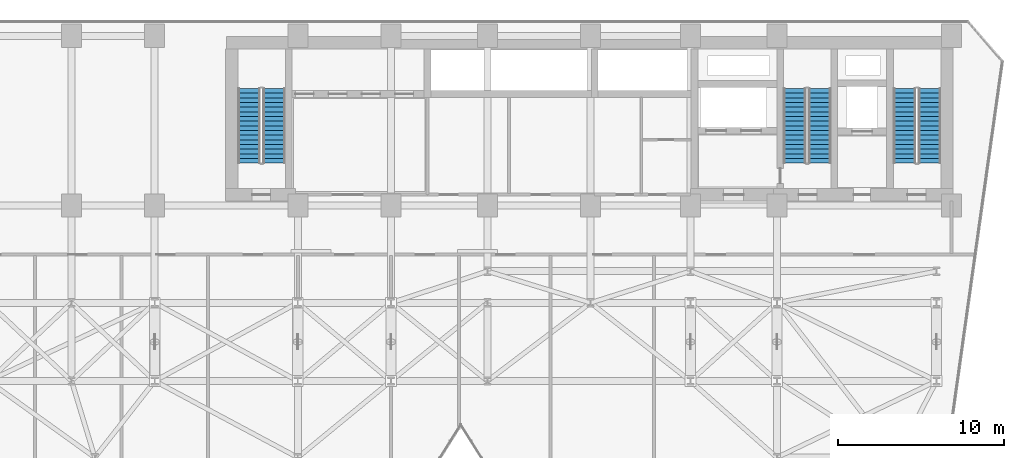
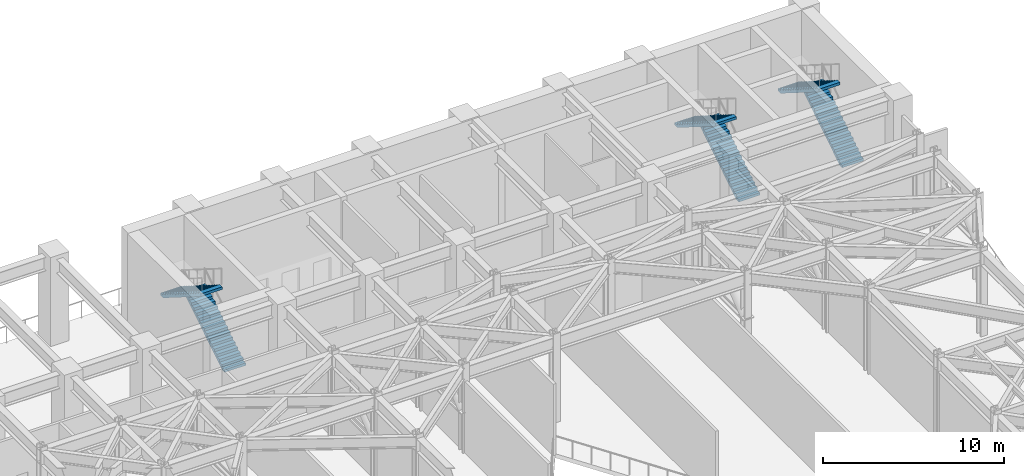
# One storey, part 8 of 12: 6 stair flights, 3 elements without a shape of their own.
"""IFC4 building model written with IfcOpenShell, lengths in metres."""

import ifcopenshell
import ifcopenshell.guid

model = None  # the IFC model being written
_history = None  # IfcOwnerHistory: only IFC2X3 demands one
_inside = {}  # id of a spatial element -> (the spatial element, [elements in it])
_under = {}  # id of a project, library or spatial element -> (it, [spatial elements below it])
_declared = {}  # id of a project -> (the project, [libraries it declares])
_typed = {}  # id of a type object -> (the type object, [elements of that type])
_made_of = {}  # id of a material, layer set ... -> (it, [elements and type objects made of it])


def new_model(schema):
    """Start an empty IFC model of exactly this schema.

    Asked for "IFC4X3", IfcOpenShell would pick the latest addendum, in which some entities
    have other attributes; the version numbers below select the first issue.
    IFC2X3 requires an IfcOwnerHistory on every rooted entity: one is made here for all.
    """
    global model, _history
    if schema == "IFC4X3":
        model = ifcopenshell.file(schema_version=(4, 3, 0, 0))
    else:
        model = ifcopenshell.file(schema=schema)
    _inside.clear()
    _under.clear()
    _declared.clear()
    _typed.clear()
    _made_of.clear()
    _history = None
    if model.schema == "IFC2X3":
        org = make("IfcOrganization", Name="unknown")
        user = make(
            "IfcPersonAndOrganization",
            ThePerson=make("IfcPerson", FamilyName="unknown"),
            TheOrganization=org,
        )
        app = make(
            "IfcApplication",
            ApplicationDeveloper=org,
            Version="unknown",
            ApplicationFullName="unknown",
            ApplicationIdentifier="unknown",
        )
        _history = make(
            "IfcOwnerHistory",
            OwningUser=user,
            OwningApplication=app,
            ChangeAction="ADDED",
            CreationDate=0,
        )
    return model


def make(cls, **values):
    """One entity of the class cls with the attributes given. An attribute that is None is left unset."""
    return model.create_entity(
        cls, **{name: value for name, value in values.items() if value is not None}
    )


def rooted(cls, **values):
    """An entity with a GlobalId (a new one), such as an element, a storey or a relation."""
    return make(cls, GlobalId=ifcopenshell.guid.new(), OwnerHistory=_history, **values)


def si_unit(unit_type, name, prefix=None):
    """IfcSIUnit, for example si_unit("LENGTHUNIT", "METRE", prefix="MILLI")."""
    return make("IfcSIUnit", UnitType=unit_type, Prefix=prefix, Name=name)


def assignment(units):
    """IfcUnitAssignment: the units of a project."""
    return None if units is None else make("IfcUnitAssignment", Units=units)


def point(xyz):
    """IfcCartesianPoint."""
    return None if xyz is None else make("IfcCartesianPoint", Coordinates=xyz)


def direction(xyz):
    """IfcDirection."""
    return None if xyz is None else make("IfcDirection", DirectionRatios=xyz)


def frame(location, z_axis=None, x_axis=None):
    """IfcAxis2Placement3D, a coordinate frame: its origin and axes. An axis left out is left unset."""
    return make(
        "IfcAxis2Placement3D",
        Location=point(location),
        Axis=direction(z_axis),
        RefDirection=direction(x_axis),
    )


def origin():
    """The frame at (0, 0, 0) with its axes left unset."""
    return frame((0.0, 0.0, 0.0))


def place(relative_to, where):
    """IfcLocalPlacement: puts the frame where relative to a parent placement (None: the world)."""
    return make(
        "IfcLocalPlacement", PlacementRelTo=relative_to, RelativePlacement=where
    )


def context(
    kind, dimensions, precision=None, world=None, true_north=None, identifier=None
):
    """IfcGeometricRepresentationContext, for example the 3D "Model" context."""
    return make(
        "IfcGeometricRepresentationContext",
        ContextIdentifier=identifier,
        ContextType=kind,
        CoordinateSpaceDimension=dimensions,
        Precision=precision,
        WorldCoordinateSystem=world,
        TrueNorth=true_north,
    )


def subcontext(parent, identifier, kind, view, scale=None):
    """IfcGeometricRepresentationSubContext, for example "Body" below "Model"."""
    return make(
        "IfcGeometricRepresentationSubContext",
        ContextIdentifier=identifier,
        ContextType=kind,
        ParentContext=parent,
        TargetScale=scale,
        TargetView=view,
    )


def project(units=None, contexts=None):
    """IfcProject with its units and contexts."""
    return rooted(
        "IfcProject",
        Name="project",
        RepresentationContexts=contexts,
        UnitsInContext=assignment(units),
    )


def spatial(cls, under=None, at=None, **own):
    """A site, building, storey or space (cls), placed at a placement, below another one or the project."""
    s = rooted(cls, ObjectPlacement=at, **own)
    if under is not None:
        _under.setdefault(under.id(), (under, []))[1].append(s)
    return s


def polyline(points):
    """IfcPolyline through the points."""
    return make("IfcPolyline", Points=[point(p) for p in points])


def outline(outer, holes=None, kind="AREA"):
    """IfcArbitraryClosedProfileDef: a profile drawn as a closed curve; with holes, ...WithVoids."""
    if holes is None:
        return make("IfcArbitraryClosedProfileDef", ProfileType=kind, OuterCurve=outer)
    return make(
        "IfcArbitraryProfileDefWithVoids",
        ProfileType=kind,
        OuterCurve=outer,
        InnerCurves=holes,
    )


def extrude(swept, where, along, depth):
    """IfcExtrudedAreaSolid: the profile swept, set in the frame where, extruded along a direction by depth."""
    return make(
        "IfcExtrudedAreaSolid",
        SweptArea=swept,
        Position=where,
        ExtrudedDirection=direction(along),
        Depth=depth,
    )


def shape(context_of_items, identifier, shape_type, items):
    """IfcShapeRepresentation: the items that make up one representation, for example the "Body"."""
    return make(
        "IfcShapeRepresentation",
        ContextOfItems=context_of_items,
        RepresentationIdentifier=identifier,
        RepresentationType=shape_type,
        Items=items,
    )


def material(Name=None, Category=None):
    """IfcMaterial."""
    return make("IfcMaterial", Name=Name, Category=Category)


def layer(
    of_material, thickness, ventilated=None, Name=None, Category=None, Priority=None
):
    """IfcMaterialLayer: one layer of a wall or slab, of a material (None: an air gap)."""
    return make(
        "IfcMaterialLayer",
        Material=of_material,
        LayerThickness=thickness,
        IsVentilated=ventilated,
        Name=Name,
        Category=Category,
        Priority=Priority,
    )


def layer_set(layers, Name=None):
    """IfcMaterialLayerSet."""
    return make("IfcMaterialLayerSet", MaterialLayers=layers, LayerSetName=Name)


def made_of(thing, what):
    """Note that an element or type object is made of a material, layer set ...; save() writes the relation."""
    if what is not None:
        _made_of.setdefault(what.id(), (what, []))[1].append(thing)
    return thing


def type_object(cls, material=None, **own):
    """A type object (cls), such as IfcWallType, which elements share."""
    return made_of(rooted(cls, **own), material)


def element(
    cls,
    number,
    at=None,
    inside=None,
    cuts=None,
    type_object=None,
    material=None,
    context=None,
    identifier="Body",
    shape_type=None,
    held_by="IfcProductDefinitionShape",
    body=None,
    shapes=None,
    **own,
):
    """One element of the class cls, such as IfcWall. Its Tag is "e" and its number.

    at: its placement. inside: the storey or other place that contains it. cuts: it is an
    opening in that element (IfcRelVoidsElement). A single representation is given by context,
    identifier, shape_type and body (its items); several are given by shapes. held_by: the class
    of the entity that holds the representations. save() writes the other relations.
    """
    e = rooted(cls, Tag="e%d" % number, ObjectPlacement=at, **own)
    if body is not None:
        shapes = [shape(context, identifier, shape_type, body)]
    if shapes is not None:
        e.Representation = make(held_by, Representations=shapes)
    if inside is not None:
        _inside.setdefault(inside.id(), (inside, []))[1].append(e)
    if cuts is not None:
        rooted(
            "IfcRelVoidsElement", RelatingBuildingElement=cuts, RelatedOpeningElement=e
        )
    if type_object is not None:
        _typed.setdefault(type_object.id(), (type_object, []))[1].append(e)
    return made_of(e, material)


def aggregate(whole, parts):
    """IfcRelAggregates: a whole, such as a stair, and the parts it consists of."""
    return rooted("IfcRelAggregates", RelatingObject=whole, RelatedObjects=parts)


def save(model, path):
    """Write the relations noted so far, then the file.

    IfcRelAggregates (storeys below a building ...), IfcRelContainedInSpatialStructure (elements
    in a storey), IfcRelDefinesByType, IfcRelAssociatesMaterial and IfcRelDeclares: one each for
    every whole, place, type object, material and project.
    """
    for whole, parts in _under.values():
        aggregate(whole, parts)
    for where, things in _inside.values():
        rooted(
            "IfcRelContainedInSpatialStructure",
            RelatedElements=things,
            RelatingStructure=where,
        )
    for kind, things in _typed.values():
        rooted("IfcRelDefinesByType", RelatedObjects=things, RelatingType=kind)
    for what, things in _made_of.values():
        rooted("IfcRelAssociatesMaterial", RelatedObjects=things, RelatingMaterial=what)
    for by, libraries in _declared.values():
        rooted("IfcRelDeclares", RelatingContext=by, RelatedDefinitions=libraries)
    model.write(path)


model = new_model("IFC4")

# Units and contexts
model_context = context("Model", 3, precision=1e-05, world=origin(), true_north=direction((0.0, 1.0)))
body_context = subcontext(model_context, "Body", "Model", "MODEL_VIEW")
ifc_project = project(units=[si_unit("LENGTHUNIT", "METRE"), si_unit("AREAUNIT", "SQUARE_METRE"), si_unit("VOLUMEUNIT", "CUBIC_METRE"), si_unit("PLANEANGLEUNIT", "RADIAN"), si_unit("MASSUNIT", "GRAM", prefix="KILO")], contexts=[model_context])

# Site, building, storey
site_placement = place(None, origin())
site = spatial("IfcSite", under=ifc_project, at=site_placement, CompositionType="ELEMENT")
building_placement = place(site_placement, origin())
building = spatial("IfcBuilding", under=site, at=building_placement, Name="Kravanh Interchange Tower", CompositionType="ELEMENT")
storey_placement = place(building_placement, frame((0.0, 0.0, 85.5)))
storey = spatial("IfcBuildingStorey", under=building, at=storey_placement, Name="L20", CompositionType="ELEMENT", Elevation=85.5)

# Stair, stair flights
ifc_material_1 = material(Name="Concrete C50/60", Category="concrete")
stair_type = type_object("IfcStairType", Name="Core Fire Exit Dogleg Stair Concrete C50/60", PredefinedType="HALF_TURN_STAIR", material=ifc_material_1)
stair_1_placement = place(storey_placement, origin())
stair_1 = element("IfcStair", 1, at=stair_1_placement, inside=storey, type_object=stair_type, Name="L20 Exit Stair ST1", PredefinedType="HALF_TURN_STAIR")
ifc_material_2 = material(Name="Precast Concrete C50/60", Category="concrete")
ifc_layer = layer(ifc_material_2, 0.199951171875)
ifc_layer_set = layer_set([ifc_layer], Name="Precast Concrete C50/60 Stair Flight 1350mm")
stair_flight_type = type_object("IfcStairFlightType", Name="Precast Concrete C50/60 Stair Flight 1350mm", PredefinedType="STRAIGHT", material=ifc_layer_set)
stair_flight_1_placement = place(storey_placement, frame((65.175048828125, 39.89990234375, 0.0), z_axis=(0.0, 0.0, 1.0), x_axis=(0.0, 1.0, 0.0)))
stair_flight_1 = element("IfcStairFlight", 2, at=stair_flight_1_placement, type_object=stair_flight_type, Name="ST1 flight 1", NumberOfRisers=17, NumberOfTreads=16, PredefinedType="STRAIGHT", RiserHeight=0.176470588, TreadLength=0.28, context=body_context, shape_type="SweptSolid", body=[
    extrude(outline(polyline([(0.0, 0.0), (0.0, 0.176513671875), (0.280029296875, 0.176513671875), (0.280029296875, 0.35302734375), (0.56005859375, 0.35302734375), (0.56005859375, 0.529296875), (0.840087890625, 0.529296875), (0.840087890625, 0.705810546875), (1.1201171875, 0.705810546875), (1.1201171875, 0.88232421875), (1.39990234375, 0.88232421875), (1.39990234375, 1.058837890625), (1.679931640625, 1.058837890625), (1.679931640625, 1.2353515625), (1.9599609375, 1.2353515625), (1.9599609375, 1.411865234375), (2.239990234375, 1.411865234375), (2.239990234375, 1.588134765625), (2.52001953125, 1.588134765625), (2.52001953125, 1.7646484375), (2.800048828125, 1.7646484375), (2.800048828125, 1.941162109375), (3.080078125, 1.941162109375), (3.080078125, 2.11767578125), (3.360107421875, 2.11767578125), (3.360107421875, 2.294189453125), (3.639892578125, 2.294189453125), (3.639892578125, 2.470703125), (3.919921875, 2.470703125), (3.919921875, 2.64697265625), (4.199951171875, 2.64697265625), (4.199951171875, 2.823486328125), (4.47998046875, 2.823486328125), (4.47998046875, 3.0), (4.47998046875, 2.646240234375), (0.28125, 0.0), (0.0, 0.0)])), frame((0.0, 0.675048828125, 0.0), z_axis=(0.0, -1.0, 0.0), x_axis=(1.0, 0.0, 0.0)), (0.0, 0.0, 1.0), 1.35009765625),
])
stair_flight_2_placement = place(storey_placement, frame((63.675048828125, 44.3798828125, 3.0), z_axis=(0.0, 0.0, 1.0), x_axis=(0.0, -1.0, 0.0)))
stair_flight_2 = element("IfcStairFlight", 3, at=stair_flight_2_placement, type_object=stair_flight_type, Name="ST1 flight 2", NumberOfRisers=17, NumberOfTreads=16, PredefinedType="STRAIGHT", RiserHeight=0.176470588, TreadLength=0.28, context=body_context, shape_type="SweptSolid", body=[
    extrude(outline(polyline([(0.0, 0.0), (0.0, 0.176513671875), (0.280029296875, 0.176513671875), (0.280029296875, 0.35302734375), (0.56005859375, 0.35302734375), (0.56005859375, 0.529296875), (0.840087890625, 0.529296875), (0.840087890625, 0.705810546875), (1.1201171875, 0.705810546875), (1.1201171875, 0.88232421875), (1.39990234375, 0.88232421875), (1.39990234375, 1.058837890625), (1.679931640625, 1.058837890625), (1.679931640625, 1.2353515625), (1.9599609375, 1.2353515625), (1.9599609375, 1.411865234375), (2.239990234375, 1.411865234375), (2.239990234375, 1.588134765625), (2.52001953125, 1.588134765625), (2.52001953125, 1.7646484375), (2.800048828125, 1.7646484375), (2.800048828125, 1.941162109375), (3.080078125, 1.941162109375), (3.080078125, 2.11767578125), (3.360107421875, 2.11767578125), (3.360107421875, 2.294189453125), (3.639892578125, 2.294189453125), (3.639892578125, 2.470703125), (3.919921875, 2.470703125), (3.919921875, 2.64697265625), (4.199951171875, 2.64697265625), (4.199951171875, 2.823486328125), (4.47998046875, 2.823486328125), (4.47998046875, 3.0), (4.47998046875, 2.646240234375), (0.28125, 0.0), (0.0, 0.0)])), frame((0.0, 0.675048828125, 0.0), z_axis=(0.0, -1.0, 0.0), x_axis=(1.0, 0.0, 0.0)), (0.0, 0.0, 1.0), 1.35009765625),
])
aggregate(stair_1, [stair_flight_1, stair_flight_2])

stair_2_placement = place(storey_placement, origin())
stair_2 = element("IfcStair", 4, at=stair_2_placement, inside=storey, type_object=stair_type, Name="L20 Exit Stair ST2", PredefinedType="HALF_TURN_STAIR")
stair_flight_3_placement = place(storey_placement, frame((58.574951171875, 39.89990234375, 0.0), z_axis=(0.0, 0.0, 1.0), x_axis=(0.0, 1.0, 0.0)))
stair_flight_3 = element("IfcStairFlight", 5, at=stair_flight_3_placement, type_object=stair_flight_type, Name="ST2 flight 1", NumberOfRisers=17, NumberOfTreads=16, PredefinedType="STRAIGHT", RiserHeight=0.176470588, TreadLength=0.28, context=body_context, shape_type="SweptSolid", body=[
    extrude(outline(polyline([(0.0, 0.0), (0.0, 0.176513671875), (0.280029296875, 0.176513671875), (0.280029296875, 0.35302734375), (0.56005859375, 0.35302734375), (0.56005859375, 0.529296875), (0.840087890625, 0.529296875), (0.840087890625, 0.705810546875), (1.1201171875, 0.705810546875), (1.1201171875, 0.88232421875), (1.39990234375, 0.88232421875), (1.39990234375, 1.058837890625), (1.679931640625, 1.058837890625), (1.679931640625, 1.2353515625), (1.9599609375, 1.2353515625), (1.9599609375, 1.411865234375), (2.239990234375, 1.411865234375), (2.239990234375, 1.588134765625), (2.52001953125, 1.588134765625), (2.52001953125, 1.7646484375), (2.800048828125, 1.7646484375), (2.800048828125, 1.941162109375), (3.080078125, 1.941162109375), (3.080078125, 2.11767578125), (3.360107421875, 2.11767578125), (3.360107421875, 2.294189453125), (3.639892578125, 2.294189453125), (3.639892578125, 2.470703125), (3.919921875, 2.470703125), (3.919921875, 2.64697265625), (4.199951171875, 2.64697265625), (4.199951171875, 2.823486328125), (4.47998046875, 2.823486328125), (4.47998046875, 3.0), (4.47998046875, 2.646240234375), (0.28125, 0.0), (0.0, 0.0)])), frame((0.0, 0.675048828125, 0.0), z_axis=(0.0, -1.0, 0.0), x_axis=(1.0, 0.0, 0.0)), (0.0, 0.0, 1.0), 1.35009765625),
])
stair_flight_4_placement = place(storey_placement, frame((57.074951171875, 44.3798828125, 3.0), z_axis=(0.0, 0.0, 1.0), x_axis=(0.0, -1.0, 0.0)))
stair_flight_4 = element("IfcStairFlight", 6, at=stair_flight_4_placement, type_object=stair_flight_type, Name="ST2 flight 2", NumberOfRisers=17, NumberOfTreads=16, PredefinedType="STRAIGHT", RiserHeight=0.176470588, TreadLength=0.28, context=body_context, shape_type="SweptSolid", body=[
    extrude(outline(polyline([(0.0, 0.0), (0.0, 0.176513671875), (0.280029296875, 0.176513671875), (0.280029296875, 0.35302734375), (0.56005859375, 0.35302734375), (0.56005859375, 0.529296875), (0.840087890625, 0.529296875), (0.840087890625, 0.705810546875), (1.1201171875, 0.705810546875), (1.1201171875, 0.88232421875), (1.39990234375, 0.88232421875), (1.39990234375, 1.058837890625), (1.679931640625, 1.058837890625), (1.679931640625, 1.2353515625), (1.9599609375, 1.2353515625), (1.9599609375, 1.411865234375), (2.239990234375, 1.411865234375), (2.239990234375, 1.588134765625), (2.52001953125, 1.588134765625), (2.52001953125, 1.7646484375), (2.800048828125, 1.7646484375), (2.800048828125, 1.941162109375), (3.080078125, 1.941162109375), (3.080078125, 2.11767578125), (3.360107421875, 2.11767578125), (3.360107421875, 2.294189453125), (3.639892578125, 2.294189453125), (3.639892578125, 2.470703125), (3.919921875, 2.470703125), (3.919921875, 2.64697265625), (4.199951171875, 2.64697265625), (4.199951171875, 2.823486328125), (4.47998046875, 2.823486328125), (4.47998046875, 3.0), (4.47998046875, 2.646240234375), (0.28125, 0.0), (0.0, 0.0)])), frame((0.0, 0.675048828125, 0.0), z_axis=(0.0, -1.0, 0.0), x_axis=(1.0, 0.0, 0.0)), (0.0, 0.0, 1.0), 1.35009765625),
])
aggregate(stair_2, [stair_flight_3, stair_flight_4])

stair_3_placement = place(storey_placement, origin())
stair_3 = element("IfcStair", 7, at=stair_3_placement, inside=storey, type_object=stair_type, Name="L20 Exit Stair ST3", PredefinedType="HALF_TURN_STAIR")
stair_flight_5_placement = place(storey_placement, frame((25.77490234375, 39.89990234375, 0.0), z_axis=(0.0, 0.0, 1.0), x_axis=(0.0, 1.0, 0.0)))
stair_flight_5 = element("IfcStairFlight", 8, at=stair_flight_5_placement, type_object=stair_flight_type, Name="ST3 flight 1", NumberOfRisers=17, NumberOfTreads=16, PredefinedType="STRAIGHT", RiserHeight=0.176470588, TreadLength=0.28, context=body_context, shape_type="SweptSolid", body=[
    extrude(outline(polyline([(0.0, 0.0), (0.0, 0.176513671875), (0.280029296875, 0.176513671875), (0.280029296875, 0.35302734375), (0.56005859375, 0.35302734375), (0.56005859375, 0.529296875), (0.840087890625, 0.529296875), (0.840087890625, 0.705810546875), (1.1201171875, 0.705810546875), (1.1201171875, 0.88232421875), (1.39990234375, 0.88232421875), (1.39990234375, 1.058837890625), (1.679931640625, 1.058837890625), (1.679931640625, 1.2353515625), (1.9599609375, 1.2353515625), (1.9599609375, 1.411865234375), (2.239990234375, 1.411865234375), (2.239990234375, 1.588134765625), (2.52001953125, 1.588134765625), (2.52001953125, 1.7646484375), (2.800048828125, 1.7646484375), (2.800048828125, 1.941162109375), (3.080078125, 1.941162109375), (3.080078125, 2.11767578125), (3.360107421875, 2.11767578125), (3.360107421875, 2.294189453125), (3.639892578125, 2.294189453125), (3.639892578125, 2.470703125), (3.919921875, 2.470703125), (3.919921875, 2.64697265625), (4.199951171875, 2.64697265625), (4.199951171875, 2.823486328125), (4.47998046875, 2.823486328125), (4.47998046875, 3.0), (4.47998046875, 2.646240234375), (0.28125, 0.0), (0.0, 0.0)])), frame((0.0, 0.675048828125, 0.0), z_axis=(0.0, -1.0, 0.0), x_axis=(1.0, 0.0, 0.0)), (0.0, 0.0, 1.0), 1.35009765625),
])
stair_flight_6_placement = place(storey_placement, frame((24.27490234375, 44.3798828125, 3.0), z_axis=(0.0, 0.0, 1.0), x_axis=(0.0, -1.0, 0.0)))
stair_flight_6 = element("IfcStairFlight", 9, at=stair_flight_6_placement, type_object=stair_flight_type, Name="ST3 flight 2", NumberOfRisers=17, NumberOfTreads=16, PredefinedType="STRAIGHT", RiserHeight=0.176470588, TreadLength=0.28, context=body_context, shape_type="SweptSolid", body=[
    extrude(outline(polyline([(0.0, 0.0), (0.0, 0.176513671875), (0.280029296875, 0.176513671875), (0.280029296875, 0.35302734375), (0.56005859375, 0.35302734375), (0.56005859375, 0.529296875), (0.840087890625, 0.529296875), (0.840087890625, 0.705810546875), (1.1201171875, 0.705810546875), (1.1201171875, 0.88232421875), (1.39990234375, 0.88232421875), (1.39990234375, 1.058837890625), (1.679931640625, 1.058837890625), (1.679931640625, 1.2353515625), (1.9599609375, 1.2353515625), (1.9599609375, 1.411865234375), (2.239990234375, 1.411865234375), (2.239990234375, 1.588134765625), (2.52001953125, 1.588134765625), (2.52001953125, 1.7646484375), (2.800048828125, 1.7646484375), (2.800048828125, 1.941162109375), (3.080078125, 1.941162109375), (3.080078125, 2.11767578125), (3.360107421875, 2.11767578125), (3.360107421875, 2.294189453125), (3.639892578125, 2.294189453125), (3.639892578125, 2.470703125), (3.919921875, 2.470703125), (3.919921875, 2.64697265625), (4.199951171875, 2.64697265625), (4.199951171875, 2.823486328125), (4.47998046875, 2.823486328125), (4.47998046875, 3.0), (4.47998046875, 2.646240234375), (0.28125, 0.0), (0.0, 0.0)])), frame((0.0, 0.675048828125, 0.0), z_axis=(0.0, -1.0, 0.0), x_axis=(1.0, 0.0, 0.0)), (0.0, 0.0, 1.0), 1.35009765625),
])
aggregate(stair_3, [stair_flight_5, stair_flight_6])

save(model, "model.ifc")
